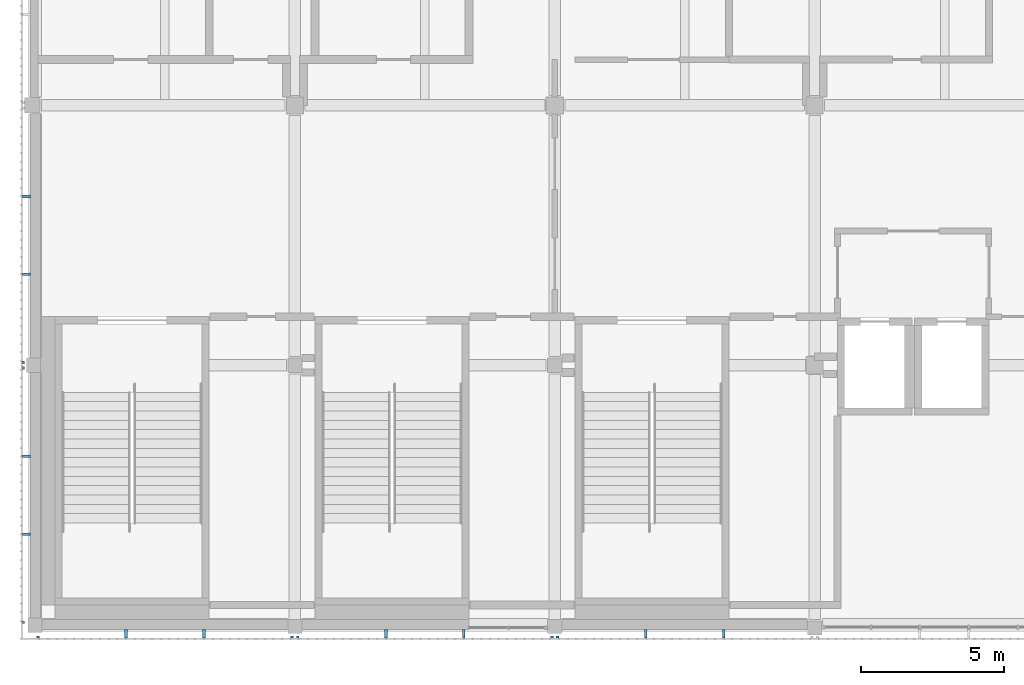
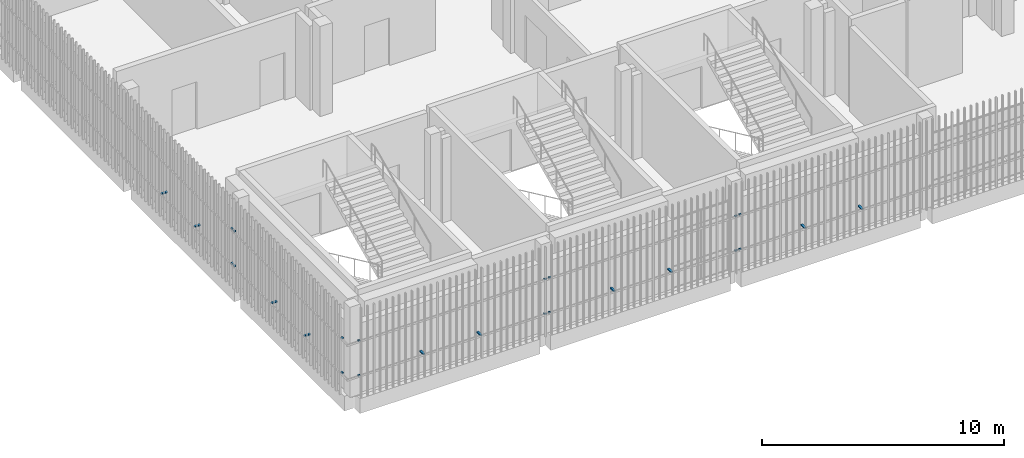
# One storey, part 86 of 124: 26 discrete accessories.
"""IFC4 building model written with IfcOpenShell, lengths in metres."""

import ifcopenshell
import ifcopenshell.guid

model = None  # the IFC model being written
_history = None  # IfcOwnerHistory: only IFC2X3 demands one
_inside = {}  # id of a spatial element -> (the spatial element, [elements in it])
_under = {}  # id of a project, library or spatial element -> (it, [spatial elements below it])
_declared = {}  # id of a project -> (the project, [libraries it declares])
_typed = {}  # id of a type object -> (the type object, [elements of that type])
_made_of = {}  # id of a material, layer set ... -> (it, [elements and type objects made of it])


def new_model(schema):
    """Start an empty IFC model of exactly this schema.

    Asked for "IFC4X3", IfcOpenShell would pick the latest addendum, in which some entities
    have other attributes; the version numbers below select the first issue.
    IFC2X3 requires an IfcOwnerHistory on every rooted entity: one is made here for all.
    """
    global model, _history
    if schema == "IFC4X3":
        model = ifcopenshell.file(schema_version=(4, 3, 0, 0))
    else:
        model = ifcopenshell.file(schema=schema)
    _inside.clear()
    _under.clear()
    _declared.clear()
    _typed.clear()
    _made_of.clear()
    _history = None
    if model.schema == "IFC2X3":
        org = make("IfcOrganization", Name="unknown")
        user = make(
            "IfcPersonAndOrganization",
            ThePerson=make("IfcPerson", FamilyName="unknown"),
            TheOrganization=org,
        )
        app = make(
            "IfcApplication",
            ApplicationDeveloper=org,
            Version="unknown",
            ApplicationFullName="unknown",
            ApplicationIdentifier="unknown",
        )
        _history = make(
            "IfcOwnerHistory",
            OwningUser=user,
            OwningApplication=app,
            ChangeAction="ADDED",
            CreationDate=0,
        )
    return model


def make(cls, **values):
    """One entity of the class cls with the attributes given. An attribute that is None is left unset."""
    return model.create_entity(
        cls, **{name: value for name, value in values.items() if value is not None}
    )


def rooted(cls, **values):
    """An entity with a GlobalId (a new one), such as an element, a storey or a relation."""
    return make(cls, GlobalId=ifcopenshell.guid.new(), OwnerHistory=_history, **values)


def si_unit(unit_type, name, prefix=None):
    """IfcSIUnit, for example si_unit("LENGTHUNIT", "METRE", prefix="MILLI")."""
    return make("IfcSIUnit", UnitType=unit_type, Prefix=prefix, Name=name)


def assignment(units):
    """IfcUnitAssignment: the units of a project."""
    return None if units is None else make("IfcUnitAssignment", Units=units)


def point(xyz):
    """IfcCartesianPoint."""
    return None if xyz is None else make("IfcCartesianPoint", Coordinates=xyz)


def direction(xyz):
    """IfcDirection."""
    return None if xyz is None else make("IfcDirection", DirectionRatios=xyz)


def frame(location, z_axis=None, x_axis=None):
    """IfcAxis2Placement3D, a coordinate frame: its origin and axes. An axis left out is left unset."""
    return make(
        "IfcAxis2Placement3D",
        Location=point(location),
        Axis=direction(z_axis),
        RefDirection=direction(x_axis),
    )


def frame_2d(location, x_axis=None):
    """IfcAxis2Placement2D, a coordinate frame in the plane: its origin and x axis."""
    return make(
        "IfcAxis2Placement2D", Location=point(location), RefDirection=direction(x_axis)
    )


def origin():
    """The frame at (0, 0, 0) with its axes left unset."""
    return frame((0.0, 0.0, 0.0))


def origin_2d():
    """The frame at (0, 0) in the plane with its x axis left unset."""
    return frame_2d((0.0, 0.0))


def place(relative_to, where):
    """IfcLocalPlacement: puts the frame where relative to a parent placement (None: the world)."""
    return make(
        "IfcLocalPlacement", PlacementRelTo=relative_to, RelativePlacement=where
    )


def context(
    kind, dimensions, precision=None, world=None, true_north=None, identifier=None
):
    """IfcGeometricRepresentationContext, for example the 3D "Model" context."""
    return make(
        "IfcGeometricRepresentationContext",
        ContextIdentifier=identifier,
        ContextType=kind,
        CoordinateSpaceDimension=dimensions,
        Precision=precision,
        WorldCoordinateSystem=world,
        TrueNorth=true_north,
    )


def subcontext(parent, identifier, kind, view, scale=None):
    """IfcGeometricRepresentationSubContext, for example "Body" below "Model"."""
    return make(
        "IfcGeometricRepresentationSubContext",
        ContextIdentifier=identifier,
        ContextType=kind,
        ParentContext=parent,
        TargetScale=scale,
        TargetView=view,
    )


def project(units=None, contexts=None):
    """IfcProject with its units and contexts."""
    return rooted(
        "IfcProject",
        Name="project",
        RepresentationContexts=contexts,
        UnitsInContext=assignment(units),
    )


def spatial(cls, under=None, at=None, **own):
    """A site, building, storey or space (cls), placed at a placement, below another one or the project."""
    s = rooted(cls, ObjectPlacement=at, **own)
    if under is not None:
        _under.setdefault(under.id(), (under, []))[1].append(s)
    return s


def profile(cls, at=None, kind="AREA", **sizes):
    """A parametric profile (cls). Its sizes go by their IFC names, for example OverallWidth=200.0."""
    return make(cls, ProfileType=kind, Position=at, **sizes)


def rectangle(**sizes):
    """IfcRectangleProfileDef."""
    return profile("IfcRectangleProfileDef", **sizes)


def extrude(swept, where, along, depth):
    """IfcExtrudedAreaSolid: the profile swept, set in the frame where, extruded along a direction by depth."""
    return make(
        "IfcExtrudedAreaSolid",
        SweptArea=swept,
        Position=where,
        ExtrudedDirection=direction(along),
        Depth=depth,
    )


def shape(context_of_items, identifier, shape_type, items):
    """IfcShapeRepresentation: the items that make up one representation, for example the "Body"."""
    return make(
        "IfcShapeRepresentation",
        ContextOfItems=context_of_items,
        RepresentationIdentifier=identifier,
        RepresentationType=shape_type,
        Items=items,
    )


def material(Name=None, Category=None):
    """IfcMaterial."""
    return make("IfcMaterial", Name=Name, Category=Category)


def made_of(thing, what):
    """Note that an element or type object is made of a material, layer set ...; save() writes the relation."""
    if what is not None:
        _made_of.setdefault(what.id(), (what, []))[1].append(thing)
    return thing


def type_object(cls, material=None, **own):
    """A type object (cls), such as IfcWallType, which elements share."""
    return made_of(rooted(cls, **own), material)


def element(
    cls,
    number,
    at=None,
    inside=None,
    cuts=None,
    type_object=None,
    material=None,
    context=None,
    identifier="Body",
    shape_type=None,
    held_by="IfcProductDefinitionShape",
    body=None,
    shapes=None,
    **own,
):
    """One element of the class cls, such as IfcWall. Its Tag is "e" and its number.

    at: its placement. inside: the storey or other place that contains it. cuts: it is an
    opening in that element (IfcRelVoidsElement). A single representation is given by context,
    identifier, shape_type and body (its items); several are given by shapes. held_by: the class
    of the entity that holds the representations. save() writes the other relations.
    """
    e = rooted(cls, Tag="e%d" % number, ObjectPlacement=at, **own)
    if body is not None:
        shapes = [shape(context, identifier, shape_type, body)]
    if shapes is not None:
        e.Representation = make(held_by, Representations=shapes)
    if inside is not None:
        _inside.setdefault(inside.id(), (inside, []))[1].append(e)
    if cuts is not None:
        rooted(
            "IfcRelVoidsElement", RelatingBuildingElement=cuts, RelatedOpeningElement=e
        )
    if type_object is not None:
        _typed.setdefault(type_object.id(), (type_object, []))[1].append(e)
    return made_of(e, material)


def aggregate(whole, parts):
    """IfcRelAggregates: a whole, such as a stair, and the parts it consists of."""
    return rooted("IfcRelAggregates", RelatingObject=whole, RelatedObjects=parts)


def save(model, path):
    """Write the relations noted so far, then the file.

    IfcRelAggregates (storeys below a building ...), IfcRelContainedInSpatialStructure (elements
    in a storey), IfcRelDefinesByType, IfcRelAssociatesMaterial and IfcRelDeclares: one each for
    every whole, place, type object, material and project.
    """
    for whole, parts in _under.values():
        aggregate(whole, parts)
    for where, things in _inside.values():
        rooted(
            "IfcRelContainedInSpatialStructure",
            RelatedElements=things,
            RelatingStructure=where,
        )
    for kind, things in _typed.values():
        rooted("IfcRelDefinesByType", RelatedObjects=things, RelatingType=kind)
    for what, things in _made_of.values():
        rooted("IfcRelAssociatesMaterial", RelatedObjects=things, RelatingMaterial=what)
    for by, libraries in _declared.values():
        rooted("IfcRelDeclares", RelatingContext=by, RelatedDefinitions=libraries)
    model.write(path)


model = new_model("IFC4")

# Units and contexts
model_context = context("Model", 3, precision=1e-05, world=origin(), true_north=direction((0.0, 1.0)))
body_context = subcontext(model_context, "Body", "Model", "MODEL_VIEW")
ifc_project = project(units=[si_unit("LENGTHUNIT", "METRE"), si_unit("AREAUNIT", "SQUARE_METRE"), si_unit("VOLUMEUNIT", "CUBIC_METRE"), si_unit("PLANEANGLEUNIT", "RADIAN"), si_unit("MASSUNIT", "GRAM", prefix="KILO")], contexts=[model_context])

# Site, building, storey
site_placement = place(None, origin())
site = spatial("IfcSite", under=ifc_project, at=site_placement, CompositionType="ELEMENT")
building_placement = place(site_placement, origin())
building = spatial("IfcBuilding", under=site, at=building_placement, Name="Shirokan Park Arena", CompositionType="ELEMENT")
storey_placement = place(building_placement, frame((0.0, 0.0, 20.02001953125)))
storey = spatial("IfcBuildingStorey", under=building, at=storey_placement, Name="L04", CompositionType="ELEMENT", Elevation=20.02001953125)

# Discrete accessories
ifc_material = material(Name="Steel S355", Category="steel")
discrete_accessory_type = type_object("IfcDiscreteAccessoryType", Name="Veil bracket 100x60", PredefinedType="BRACKET", material=ifc_material)
for number, where, z_axis, x_axis, name in (
    (1, (0.10009765625, -0.409912109375, 1.070068359375), (0.0, 0.0, 1.0), (1.0, 0.0, 0.0), "Veil bracket south bay 1 L04 1"),
    (2, (9.0, -0.409912109375, 1.070068359375), (0.0, 0.0, 1.0), (1.0, 0.0, 0.0), "Veil bracket south bay 1 L04 2"),
    (3, (0.10009765625, -0.409912109375, 2.820068359375), (0.0, 0.0, 1.0), (1.0, 0.0, 0.0), "Veil bracket south bay 1 L04 3"),
    (4, (9.0, -0.409912109375, 2.820068359375), (0.0, 0.0, 1.0), (1.0, 0.0, 0.0), "Veil bracket south bay 1 L04 4"),
):
    element("IfcDiscreteAccessory", number, at=place(storey_placement, frame(where, z_axis=z_axis, x_axis=x_axis)), inside=storey, type_object=discrete_accessory_type, Name=name, PredefinedType="BRACKET", context=body_context, shape_type="SweptSolid", body=[
        extrude(rectangle(XDim=0.10009765625, YDim=0.070068359375, at=origin_2d()), origin(), (0.0, 0.0, 1.0), 0.06005859375),
    ])
for number, where, z_axis, x_axis, name in (
    (5, (3.18505859375, -0.297607421875, 1.070068359375), (0.0, 0.0, 1.0), (1.0, 0.0, 0.0), "Veil bracket south bay 1 L04 wall 1"),
    (6, (5.9150390625, -0.297607421875, 1.070068359375), (0.0, 0.0, 1.0), (1.0, 0.0, 0.0), "Veil bracket south bay 1 L04 wall 2"),
):
    element("IfcDiscreteAccessory", number, at=place(storey_placement, frame(where, z_axis=z_axis, x_axis=x_axis)), inside=storey, type_object=discrete_accessory_type, Name=name, PredefinedType="BRACKET", context=body_context, shape_type="SweptSolid", body=[
        extrude(rectangle(XDim=0.10009765625, YDim=0.294921875, at=origin_2d()), origin(), (0.0, 0.0, 1.0), 0.06005859375),
    ])
for number, where, z_axis, x_axis, name in (
    (7, (9.199951171875, -0.409912109375, 1.070068359375), (0.0, 0.0, 1.0), (1.0, 0.0, 0.0), "Veil bracket south bay 2 L04 1"),
    (8, (18.10009765625, -0.409912109375, 1.070068359375), (0.0, 0.0, 1.0), (1.0, 0.0, 0.0), "Veil bracket south bay 2 L04 2"),
    (9, (9.199951171875, -0.409912109375, 2.820068359375), (0.0, 0.0, 1.0), (1.0, 0.0, 0.0), "Veil bracket south bay 2 L04 3"),
    (10, (18.10009765625, -0.409912109375, 2.820068359375), (0.0, 0.0, 1.0), (1.0, 0.0, 0.0), "Veil bracket south bay 2 L04 4"),
):
    element("IfcDiscreteAccessory", number, at=place(storey_placement, frame(where, z_axis=z_axis, x_axis=x_axis)), inside=storey, type_object=discrete_accessory_type, Name=name, PredefinedType="BRACKET", context=body_context, shape_type="SweptSolid", body=[
        extrude(rectangle(XDim=0.10009765625, YDim=0.070068359375, at=origin_2d()), origin(), (0.0, 0.0, 1.0), 0.06005859375),
    ])
for number, where, z_axis, x_axis, name in (
    (11, (12.284912109375, -0.297607421875, 1.070068359375), (0.0, 0.0, 1.0), (1.0, 0.0, 0.0), "Veil bracket south bay 2 L04 wall 1"),
    (12, (15.014892578125, -0.297607421875, 1.070068359375), (0.0, 0.0, 1.0), (1.0, 0.0, 0.0), "Veil bracket south bay 2 L04 wall 2"),
):
    element("IfcDiscreteAccessory", number, at=place(storey_placement, frame(where, z_axis=z_axis, x_axis=x_axis)), inside=storey, type_object=discrete_accessory_type, Name=name, PredefinedType="BRACKET", context=body_context, shape_type="SweptSolid", body=[
        extrude(rectangle(XDim=0.10009765625, YDim=0.294921875, at=origin_2d()), origin(), (0.0, 0.0, 1.0), 0.06005859375),
    ])
for number, where, z_axis, x_axis, name in (
    (13, (18.300048828125, -0.409912109375, 1.070068359375), (0.0, 0.0, 1.0), (1.0, 0.0, 0.0), "Veil bracket south bay 3 L04 1"),
    (14, (18.300048828125, -0.409912109375, 2.820068359375), (0.0, 0.0, 1.0), (1.0, 0.0, 0.0), "Veil bracket south bay 3 L04 3"),
):
    element("IfcDiscreteAccessory", number, at=place(storey_placement, frame(where, z_axis=z_axis, x_axis=x_axis)), inside=storey, type_object=discrete_accessory_type, Name=name, PredefinedType="BRACKET", context=body_context, shape_type="SweptSolid", body=[
        extrude(rectangle(XDim=0.10009765625, YDim=0.070068359375, at=origin_2d()), origin(), (0.0, 0.0, 1.0), 0.06005859375),
    ])
for number, where, z_axis, x_axis, name in (
    (15, (21.385009765625, -0.297607421875, 1.070068359375), (0.0, 0.0, 1.0), (1.0, 0.0, 0.0), "Veil bracket south bay 3 L04 wall 1"),
    (16, (24.114990234375, -0.297607421875, 1.070068359375), (0.0, 0.0, 1.0), (1.0, 0.0, 0.0), "Veil bracket south bay 3 L04 wall 2"),
):
    element("IfcDiscreteAccessory", number, at=place(storey_placement, frame(where, z_axis=z_axis, x_axis=x_axis)), inside=storey, type_object=discrete_accessory_type, Name=name, PredefinedType="BRACKET", context=body_context, shape_type="SweptSolid", body=[
        extrude(rectangle(XDim=0.10009765625, YDim=0.294921875, at=origin_2d()), origin(), (0.0, 0.0, 1.0), 0.06005859375),
    ])
for number, where, z_axis, x_axis, name in (
    (17, (-0.409912109375, 9.199951171875, 1.070068359375), (0.0, 0.0, 1.0), (0.0, -1.0, 0.0), "Veil bracket west bay 11 L04 2"),
    (18, (-0.409912109375, 9.199951171875, 2.820068359375), (0.0, 0.0, 1.0), (0.0, -1.0, 0.0), "Veil bracket west bay 11 L04 4"),
):
    element("IfcDiscreteAccessory", number, at=place(storey_placement, frame(where, z_axis=z_axis, x_axis=x_axis)), inside=storey, type_object=discrete_accessory_type, Name=name, PredefinedType="BRACKET", context=body_context, shape_type="SweptSolid", body=[
        extrude(rectangle(XDim=0.10009765625, YDim=0.070068359375, at=origin_2d()), origin(), (0.0, 0.0, 1.0), 0.06005859375),
    ])
for number, where, z_axis, x_axis, name in (
    (19, (-0.297607421875, 15.014892578125, 1.070068359375), (0.0, 0.0, 1.0), (0.0, -1.0, 0.0), "Veil bracket west bay 11 L04 wall 1"),
    (20, (-0.297607421875, 12.284912109375, 1.070068359375), (0.0, 0.0, 1.0), (0.0, -1.0, 0.0), "Veil bracket west bay 11 L04 wall 2"),
):
    element("IfcDiscreteAccessory", number, at=place(storey_placement, frame(where, z_axis=z_axis, x_axis=x_axis)), inside=storey, type_object=discrete_accessory_type, Name=name, PredefinedType="BRACKET", context=body_context, shape_type="SweptSolid", body=[
        extrude(rectangle(XDim=0.10009765625, YDim=0.294921875, at=origin_2d()), origin(), (0.0, 0.0, 1.0), 0.06005859375),
    ])
for number, where, z_axis, x_axis, name in (
    (21, (-0.409912109375, 9.0, 1.070068359375), (0.0, 0.0, 1.0), (0.0, -1.0, 0.0), "Veil bracket west bay 12 L04 1"),
    (22, (-0.409912109375, 0.10009765625, 1.070068359375), (0.0, 0.0, 1.0), (0.0, -1.0, 0.0), "Veil bracket west bay 12 L04 2"),
    (23, (-0.409912109375, 9.0, 2.820068359375), (0.0, 0.0, 1.0), (0.0, -1.0, 0.0), "Veil bracket west bay 12 L04 3"),
    (24, (-0.409912109375, 0.10009765625, 2.820068359375), (0.0, 0.0, 1.0), (0.0, -1.0, 0.0), "Veil bracket west bay 12 L04 4"),
):
    element("IfcDiscreteAccessory", number, at=place(storey_placement, frame(where, z_axis=z_axis, x_axis=x_axis)), inside=storey, type_object=discrete_accessory_type, Name=name, PredefinedType="BRACKET", context=body_context, shape_type="SweptSolid", body=[
        extrude(rectangle(XDim=0.10009765625, YDim=0.070068359375, at=origin_2d()), origin(), (0.0, 0.0, 1.0), 0.06005859375),
    ])
for number, where, z_axis, x_axis, name in (
    (25, (-0.297607421875, 5.9150390625, 1.070068359375), (0.0, 0.0, 1.0), (0.0, -1.0, 0.0), "Veil bracket west bay 12 L04 wall 1"),
    (26, (-0.297607421875, 3.18505859375, 1.070068359375), (0.0, 0.0, 1.0), (0.0, -1.0, 0.0), "Veil bracket west bay 12 L04 wall 2"),
):
    element("IfcDiscreteAccessory", number, at=place(storey_placement, frame(where, z_axis=z_axis, x_axis=x_axis)), inside=storey, type_object=discrete_accessory_type, Name=name, PredefinedType="BRACKET", context=body_context, shape_type="SweptSolid", body=[
        extrude(rectangle(XDim=0.10009765625, YDim=0.294921875, at=origin_2d()), origin(), (0.0, 0.0, 1.0), 0.06005859375),
    ])

save(model, "model.ifc")
